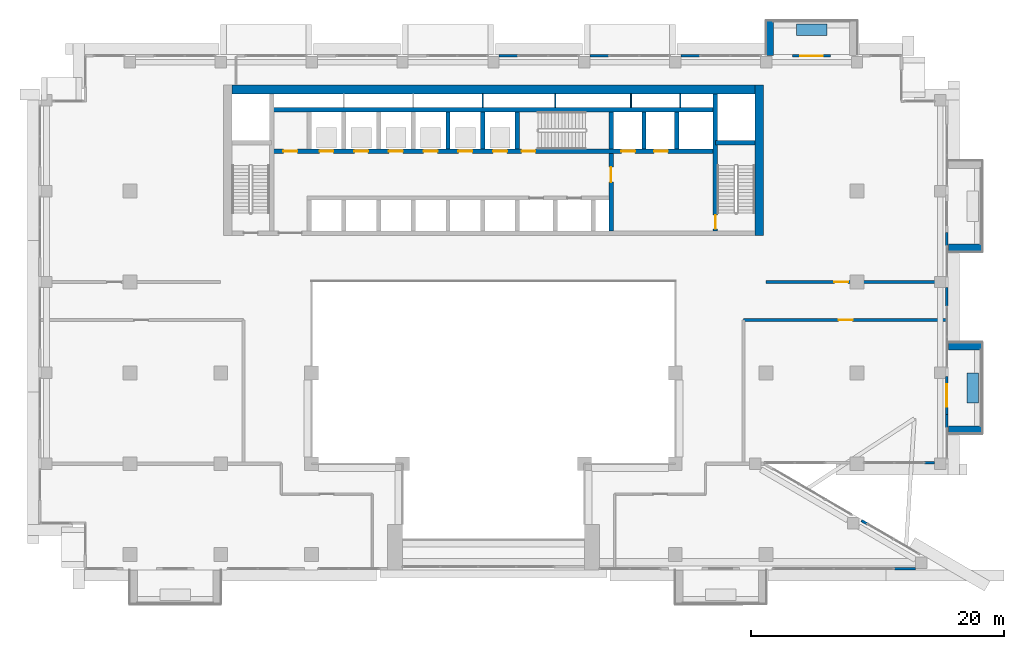
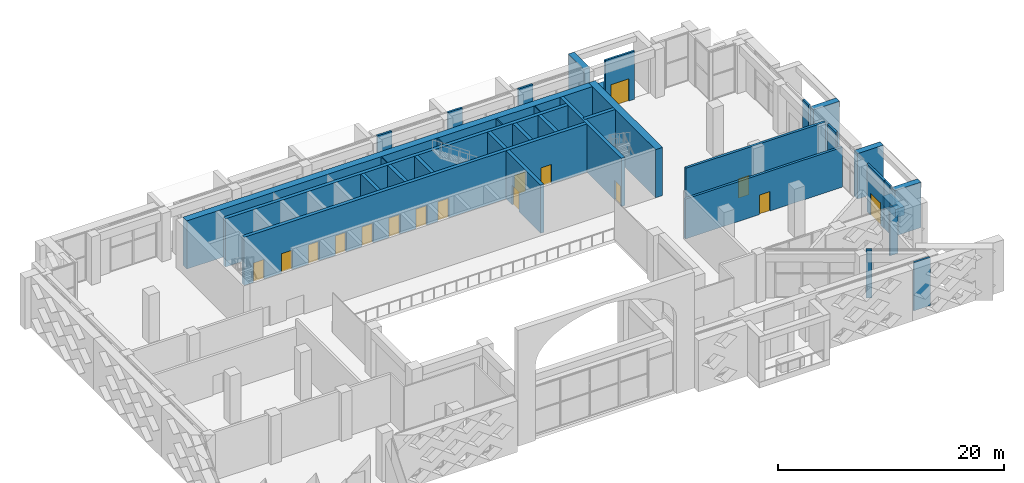
# One storey, part 16 of 25: 36 walls, 16 doors, 16 openings.
"""IFC4 building model written with IfcOpenShell, lengths in metres."""

from ifc_helpers import new_model, si_unit, direction, frame, frame_2d, origin, place, context, subcontext, project, spatial, rectangle, extrude, material, layer, layer_set, type_object, element, fill, save


model = new_model("IFC4")

# Units and contexts
model_context = context("Model", 3, precision=1e-05, world=origin(), true_north=direction((0.0, 1.0)))
body_context = subcontext(model_context, "Body", "Model", "MODEL_VIEW")
ifc_project = project(units=[si_unit("LENGTHUNIT", "METRE"), si_unit("AREAUNIT", "SQUARE_METRE"), si_unit("VOLUMEUNIT", "CUBIC_METRE"), si_unit("PLANEANGLEUNIT", "RADIAN"), si_unit("MASSUNIT", "GRAM", prefix="KILO")], contexts=[model_context])

# Site, building, storey
site_placement = place(None, origin())
site = spatial("IfcSite", under=ifc_project, at=site_placement, CompositionType="ELEMENT")
building_placement = place(site_placement, origin())
building = spatial("IfcBuilding", under=site, at=building_placement, Name="Saffron Iwan Residences", CompositionType="ELEMENT")
storey_placement = place(building_placement, frame((0.0, 0.0, 137.5)))
storey = spatial("IfcBuildingStorey", under=building, at=storey_placement, Name="L36", CompositionType="ELEMENT", Elevation=137.5)

# Walls
ifc_material_1 = material(Name="Concrete C50/60 white painted", Category="concrete")
ifc_layer_1 = layer(ifc_material_1, 0.60009765625)
ifc_layer_set_1 = layer_set([ifc_layer_1], Name="Concrete C50/60 white painted")
wall_type_1 = type_object("IfcWallType", Name="BALCONY FIN 600", PredefinedType="SOLIDWALL", material=ifc_layer_set_1)
for number, where, z_axis, x_axis, name in (
    (1, (86.449951171875, 50.699951171875, 0.0), (0.0, 0.0, 1.0), (1.0, 0.0, 0.0), "Balcony fin L36 F2-0a"),
    (2, (86.449951171875, 57.300048828125, 0.0), (0.0, 0.0, 1.0), (1.0, 0.0, 0.0), "Balcony fin L36 F2-0b"),
    (3, (86.449951171875, 65.10009765625, 0.0), (0.0, 0.0, 1.0), (1.0, 0.0, 0.0), "Balcony fin L36 F2-1a"),
):
    element("IfcWall", number, at=place(storey_placement, frame(where, z_axis=z_axis, x_axis=x_axis)), inside=storey, type_object=wall_type_1, Name=name, PredefinedType="SOLIDWALL", context=body_context, shape_type="SweptSolid", body=[
        extrude(rectangle(XDim=2.650146484375, YDim=0.60009765625, at=frame_2d((1.3251953125, 0.0))), origin(), (0.0, 0.0, 1.0), 4.89990234375),
    ])
wall_1_placement = place(storey_placement, frame((72.300048828125, 80.35009765625, 0.0), z_axis=(0.0, 0.0, 1.0), x_axis=(0.0, 1.0, 0.0)))
element("IfcWall", 4, at=wall_1_placement, inside=storey, type_object=wall_type_1, Name="Balcony fin L36 F5-0b", PredefinedType="SOLIDWALL", context=body_context, shape_type="SweptSolid", body=[
    extrude(rectangle(XDim=2.75, YDim=0.60009765625, at=frame_2d((1.375, 0.0))), origin(), (0.0, 0.0, 1.0), 4.89990234375),
])
ifc_material_2 = material(Name="Concrete C35/45 white painted", Category="concrete")
ifc_layer_2 = layer(ifc_material_2, 0.14990234375)
ifc_layer_set_2 = layer_set([ifc_layer_2], Name="Concrete C35/45 white painted")
wall_type_2 = type_object("IfcWallType", Name="BALCONY PLANTER", PredefinedType="SOLIDWALL", material=ifc_layer_set_2)
wall_2_placement = place(storey_placement, frame((88.375, 52.800048828125, 0.0), z_axis=(0.0, 0.0, 1.0), x_axis=(0.0, 1.0, 0.0)))
element("IfcWall", 5, at=wall_2_placement, inside=storey, type_object=wall_type_2, Name="PLANTER L36 F2-0", PredefinedType="SOLIDWALL", context=body_context, shape_type="SweptSolid", body=[
    extrude(rectangle(XDim=2.39990234375, YDim=0.89990234375, at=frame_2d((1.199951171875, 0.0))), origin(), (0.0, 0.0, 1.0), 0.89990234375),
])
wall_3_placement = place(storey_placement, frame((76.800048828125, 82.375, 0.0), z_axis=(0.0, 0.0, 1.0), x_axis=(-1.0, 0.0, 0.0)))
element("IfcWall", 6, at=wall_3_placement, inside=storey, type_object=wall_type_2, Name="PLANTER L36 F5-0", PredefinedType="SOLIDWALL", context=body_context, shape_type="SweptSolid", body=[
    extrude(rectangle(XDim=2.400146484375, YDim=0.89990234375, at=frame_2d((1.2001953125, 0.0))), origin(), (0.0, 0.0, 1.0), 0.89990234375),
])
ifc_material_3 = material(Name="Concrete C40/50", Category="concrete")
ifc_layer_3 = layer(ifc_material_3, 0.199951171875)
ifc_layer_set_3 = layer_set([ifc_layer_3], Name="Concrete C40/50")
wall_type_3 = type_object("IfcWallType", Name="EXTERNAL WALL 200", PredefinedType="SOLIDWALL", material=ifc_layer_set_3)
wall_4_placement = place(storey_placement, frame((79.990478515625, 43.246337890625, 0.0), z_axis=(0.0, 0.0, 1.0), x_axis=(-0.863865392601, 0.503722724786, 0.0)))
element("IfcWall", 7, at=wall_4_placement, inside=storey, type_object=wall_type_3, Name="External wall infill CWC-L36-F0-1", PredefinedType="SOLIDWALL", context=body_context, shape_type="SweptSolid", body=[
    extrude(rectangle(XDim=0.51171875, YDim=0.199951171875, at=frame_2d((0.255859375, 0.0))), origin(), (0.0, 0.0, 1.0), 5.199951171875),
])
wall_5_placement = place(storey_placement, frame((84.550048828125, 48.080078125, 0.0), z_axis=(0.0, 0.0, 1.0), x_axis=(1.0, 0.0, 0.0)))
element("IfcWall", 8, at=wall_5_placement, inside=storey, type_object=wall_type_3, Name="External wall infill CWC-L36-F1-1", PredefinedType="SOLIDWALL", context=body_context, shape_type="SweptSolid", body=[
    extrude(rectangle(XDim=0.800048828125, YDim=0.199951171875, at=frame_2d((0.39990234375, 0.0))), origin(), (0.0, 0.0, 1.0), 5.199951171875),
])

# Wall, opening, door
wall_6_placement = place(storey_placement, frame((86.300048828125, 51.89990234375, 0.0), z_axis=(0.0, 0.0, 1.0), x_axis=(0.0, 1.0, 0.0)))
wall_6 = element("IfcWall", 9, at=wall_6_placement, inside=storey, type_object=wall_type_3, Name="External wall L36 F2.D0", PredefinedType="SOLIDWALL", context=body_context, shape_type="SweptSolid", body=[
    extrude(rectangle(XDim=3.0, YDim=0.199951171875, at=frame_2d((1.5, 0.0))), origin(), (0.0, 0.0, 1.0), 5.199951171875),
])
opening_1_placement = place(wall_6_placement, frame((0.60009765625, 0.0, 0.0)))
opening_1 = element("IfcOpeningElement", 10, at=opening_1_placement, cuts=wall_6, Name="Opening BD1", PredefinedType="OPENING", context=body_context, shape_type="SweptSolid", body=[
    extrude(rectangle(XDim=1.800048828125, YDim=2.39990234375, at=frame_2d((0.89990234375, 1.199951171875))), frame((0.0, 0.10986328125, 0.0), z_axis=(0.0, -1.0, 0.0), x_axis=(1.0, 0.0, 0.0)), (0.0, 0.0, 1.0), 0.219970703125),
])
ifc_material_4 = material(Name="Clear glass, laminated double glazed", Category="glass")
door_type_1 = type_object("IfcDoorType", Name="BALCONY DOOR 1800 x 2400", OperationType="DOUBLE_DOOR_SLIDING", PredefinedType="DOOR", material=ifc_material_4)
door_1_placement = place(opening_1_placement, origin())
door_1 = element("IfcDoor", 11, at=door_1_placement, inside=storey, type_object=door_type_1, Name="Terrace door L36 F2.0", OperationType="DOUBLE_DOOR_SLIDING", OverallHeight=2.39990234375, OverallWidth=1.800048828125, PredefinedType="DOOR", context=body_context, shape_type="SweptSolid", body=[
    extrude(rectangle(XDim=1.800048828125, YDim=2.39990234375, at=frame_2d((0.89990234375, 1.199951171875))), frame((0.0, 0.02490234375, 0.0), z_axis=(0.0, -1.0, 0.0), x_axis=(1.0, 0.0, 0.0)), (0.0, 0.0, 1.0), 0.050048828125),
])
fill(opening_1, door_1)

# Walls
wall_7_placement = place(storey_placement, frame((86.320068359375, 50.85009765625, 0.0), z_axis=(0.0, 0.0, 1.0), x_axis=(0.0, 1.0, 0.0)))
element("IfcWall", 12, at=wall_7_placement, inside=storey, type_object=wall_type_3, Name="External wall infill CWC-L36-F2-0", PredefinedType="SOLIDWALL", context=body_context, shape_type="SweptSolid", body=[
    extrude(rectangle(XDim=1.0498046875, YDim=0.199951171875, at=frame_2d((0.52490234375, 0.0))), origin(), (0.0, 0.0, 1.0), 5.199951171875),
])
wall_8_placement = place(storey_placement, frame((86.320068359375, 60.449951171875, 0.0), z_axis=(0.0, 0.0, 1.0), x_axis=(0.0, 1.0, 0.0)))
element("IfcWall", 13, at=wall_8_placement, inside=storey, type_object=wall_type_3, Name="External wall infill CWC-L36-F2-1", PredefinedType="SOLIDWALL", context=body_context, shape_type="SweptSolid", body=[
    extrude(rectangle(XDim=1.5, YDim=0.199951171875, at=frame_2d((0.75, 0.0))), origin(), (0.0, 0.0, 1.0), 5.199951171875),
])
wall_9_placement = place(storey_placement, frame((86.320068359375, 65.25, 0.0), z_axis=(0.0, 0.0, 1.0), x_axis=(0.0, 1.0, 0.0)))
element("IfcWall", 14, at=wall_9_placement, inside=storey, type_object=wall_type_3, Name="External wall infill CWC-L36-F2-2", PredefinedType="SOLIDWALL", context=body_context, shape_type="SweptSolid", body=[
    extrude(rectangle(XDim=1.050048828125, YDim=0.199951171875, at=frame_2d((0.52490234375, 0.0))), origin(), (0.0, 0.0, 1.0), 5.199951171875),
])

# Wall, opening, door
wall_10_placement = place(storey_placement, frame((77.10009765625, 80.300048828125, 0.0), z_axis=(0.0, 0.0, 1.0), x_axis=(-1.0, 0.0, 0.0)))
wall_10 = element("IfcWall", 15, at=wall_10_placement, inside=storey, type_object=wall_type_3, Name="External wall L36 F5.D0", PredefinedType="SOLIDWALL", context=body_context, shape_type="SweptSolid", body=[
    extrude(rectangle(XDim=3.0, YDim=0.199951171875, at=frame_2d((1.5, 0.0))), origin(), (0.0, 0.0, 1.0), 5.199951171875),
])
opening_2_placement = place(wall_10_placement, frame((0.60009765625, 0.0, 0.0)))
opening_2 = element("IfcOpeningElement", 16, at=opening_2_placement, cuts=wall_10, Name="Opening BD1", PredefinedType="OPENING", context=body_context, shape_type="SweptSolid", body=[
    extrude(rectangle(XDim=1.800048828125, YDim=2.39990234375, at=frame_2d((0.89990234375, 1.199951171875))), frame((0.0, 0.10986328125, 0.0), z_axis=(0.0, -1.0, 0.0), x_axis=(1.0, 0.0, 0.0)), (0.0, 0.0, 1.0), 0.219970703125),
])
door_2_placement = place(opening_2_placement, origin())
door_2 = element("IfcDoor", 17, at=door_2_placement, inside=storey, type_object=door_type_1, Name="Terrace door L36 F5.0", OperationType="DOUBLE_DOOR_SLIDING", OverallHeight=2.39990234375, OverallWidth=1.800048828125, PredefinedType="DOOR", context=body_context, shape_type="SweptSolid", body=[
    extrude(rectangle(XDim=1.800048828125, YDim=2.39990234375, at=frame_2d((0.89990234375, 1.199951171875))), frame((0.0, 0.02490234375, 0.0), z_axis=(0.0, -1.0, 0.0), x_axis=(1.0, 0.0, 0.0)), (0.0, 0.0, 1.0), 0.050048828125),
])
fill(opening_2, door_2)

# Walls
for number, where, z_axis, x_axis, name in (
    (18, (66.75, 80.320068359375, 0.0), (0.0, 0.0, 1.0), (-1.0, 0.0, 0.0), "External wall infill CWC-L36-F5-3"),
    (19, (59.550048828125, 80.320068359375, 0.0), (0.0, 0.0, 1.0), (-1.0, 0.0, 0.0), "External wall infill CWC-L36-F5-4"),
    (20, (52.35009765625, 80.320068359375, 0.0), (0.0, 0.0, 1.0), (-1.0, 0.0, 0.0), "External wall infill CWC-L36-F5-5"),
):
    element("IfcWall", number, at=place(storey_placement, frame(where, z_axis=z_axis, x_axis=x_axis)), inside=storey, type_object=wall_type_3, Name=name, PredefinedType="SOLIDWALL", context=body_context, shape_type="SweptSolid", body=[
        extrude(rectangle(XDim=1.5, YDim=0.199951171875, at=frame_2d((0.75, 0.0))), origin(), (0.0, 0.0, 1.0), 5.199951171875),
    ])
wall_11_placement = place(storey_placement, frame((82.14990234375, 39.679931640625, 0.0), z_axis=(0.0, 0.0, 1.0), x_axis=(1.0, 0.0, 0.0)))
element("IfcWall", 21, at=wall_11_placement, inside=storey, type_object=wall_type_3, Name="External wall infill CWC-L36-F11-8", PredefinedType="SOLIDWALL", context=body_context, shape_type="SweptSolid", body=[
    extrude(rectangle(XDim=1.67626953125, YDim=0.199951171875, at=frame_2d((0.838134765625, 0.0))), origin(), (0.0, 0.0, 1.0), 5.199951171875),
])

# Wall, opening, door
ifc_layer_4 = layer(ifc_material_3, 0.25)
ifc_layer_set_4 = layer_set([ifc_layer_4], Name="Concrete C40/50")
wall_type_4 = type_object("IfcWallType", Name="Fire compartment wall 250", PredefinedType="SOLIDWALL", material=ifc_layer_set_4)
wall_12_placement = place(storey_placement, frame((70.199951171875, 59.39990234375, 0.0), z_axis=(0.0, 0.0, 1.0), x_axis=(1.0, 0.0, 0.0)))
wall_12 = element("IfcWall", 22, at=wall_12_placement, inside=storey, type_object=wall_type_4, Name="W-L36-009", PredefinedType="SOLIDWALL", context=body_context, shape_type="SweptSolid", body=[
    extrude(rectangle(XDim=16.030029296875, YDim=0.25, at=frame_2d((8.01513671875, 0.0))), origin(), (0.0, 0.0, 1.0), 4.300048828125),
])
opening_3_placement = place(wall_12_placement, frame((7.550048828125, 0.0, 0.0)))
opening_3 = element("IfcOpeningElement", 23, at=opening_3_placement, cuts=wall_12, Name="Opening L36.05", PredefinedType="OPENING", context=body_context, shape_type="SweptSolid", body=[
    extrude(rectangle(XDim=1.10009765625, YDim=2.10009765625, at=frame_2d((0.550048828125, 1.050048828125))), frame((0.0, 0.135009765625, 0.0), z_axis=(0.0, -1.0, 0.0), x_axis=(1.0, 0.0, 0.0)), (0.0, 0.0, 1.0), 0.27001953125),
])
ifc_material_5 = material(Name="Timber", Category="wood")
door_type_2 = type_object("IfcDoorType", Name="Door 1100x2100", OperationType="NOTDEFINED", PredefinedType="DOOR", material=ifc_material_5)
door_3_placement = place(opening_3_placement, origin())
door_3 = element("IfcDoor", 24, at=door_3_placement, inside=storey, type_object=door_type_2, Name="D-L36-005", OperationType="SINGLE_SWING_RIGHT", OverallHeight=2.10009765625, OverallWidth=1.10009765625, PredefinedType="DOOR", context=body_context, shape_type="SweptSolid", body=[
    extrude(rectangle(XDim=1.10009765625, YDim=2.10009765625, at=frame_2d((0.550048828125, 1.050048828125))), frame((0.0, 0.02490234375, 0.0), z_axis=(0.0, -1.0, 0.0), x_axis=(1.0, 0.0, 0.0)), (0.0, 0.0, 1.0), 0.050048828125),
])
fill(opening_3, door_3)

wall_13_placement = place(storey_placement, frame((72.0, 62.39990234375, 0.0), z_axis=(0.0, 0.0, 1.0), x_axis=(1.0, 0.0, 0.0)))
wall_13 = element("IfcWall", 25, at=wall_13_placement, inside=storey, type_object=wall_type_4, Name="W-L36-011", PredefinedType="SOLIDWALL", context=body_context, shape_type="SweptSolid", body=[
    extrude(rectangle(XDim=14.22998046875, YDim=0.25, at=frame_2d((7.114990234375, 0.0))), origin(), (0.0, 0.0, 1.0), 5.199951171875),
])
opening_4_placement = place(wall_13_placement, frame((5.39990234375, 0.0, 0.0)))
opening_4 = element("IfcOpeningElement", 26, at=opening_4_placement, cuts=wall_13, Name="Opening L36.06", PredefinedType="OPENING", context=body_context, shape_type="SweptSolid", body=[
    extrude(rectangle(XDim=1.10009765625, YDim=2.10009765625, at=frame_2d((0.550048828125, 1.050048828125))), frame((0.0, 0.135009765625, 0.0), z_axis=(0.0, -1.0, 0.0), x_axis=(1.0, 0.0, 0.0)), (0.0, 0.0, 1.0), 0.27001953125),
])
door_4_placement = place(opening_4_placement, origin())
door_4 = element("IfcDoor", 27, at=door_4_placement, inside=storey, type_object=door_type_2, Name="D-L36-006", OperationType="SINGLE_SWING_LEFT", OverallHeight=2.10009765625, OverallWidth=1.10009765625, PredefinedType="DOOR", context=body_context, shape_type="SweptSolid", body=[
    extrude(rectangle(XDim=1.10009765625, YDim=2.10009765625, at=frame_2d((0.550048828125, 1.050048828125))), frame((0.0, 0.02490234375, 0.0), z_axis=(0.0, -1.0, 0.0), x_axis=(1.0, 0.0, 0.0)), (0.0, 0.0, 1.0), 0.050048828125),
])
fill(opening_4, door_4)

# Walls
ifc_material_6 = material(Name="Fire-rated plasterboard partition")
ifc_layer_5 = layer(ifc_material_6, 0.10009765625)
ifc_layer_set_5 = layer_set([ifc_layer_5], Name="Fire-rated plasterboard partition")
wall_type_5 = type_object("IfcWallType", Name="Riser partition 100", PredefinedType="PARTITIONING", material=ifc_layer_set_5)
for number, where, z_axis, x_axis, name in (
    (28, (49.550048828125, 76.22509765625, 0.0), (0.0, 0.0, 1.0), (0.0, 1.0, 0.0), "Core partition P03"),
    (29, (55.300048828125, 76.22509765625, 0.0), (0.0, 0.0, 1.0), (0.0, 1.0, 0.0), "Core partition P04"),
    (30, (61.300048828125, 76.22509765625, 0.0), (0.0, 0.0, 1.0), (0.0, 1.0, 0.0), "Core partition P05"),
    (31, (65.199951171875, 76.22509765625, 0.0), (0.0, 0.0, 1.0), (0.0, 1.0, 0.0), "Core partition P06"),
):
    element("IfcWall", number, at=place(storey_placement, frame(where, z_axis=z_axis, x_axis=x_axis)), inside=storey, type_object=wall_type_5, Name=name, PredefinedType="PARTITIONING", context=body_context, shape_type="SweptSolid", body=[
        extrude(rectangle(XDim=1.074951171875, YDim=0.10009765625, at=frame_2d((0.53759765625, 0.0))), origin(), (0.0, 0.0, 1.0), 5.199951171875),
    ])

# Wall, openings, doors
ifc_material_7 = material(Name="Concrete C50/60", Category="concrete")
ifc_layer_6 = layer(ifc_material_7, 0.35009765625)
ifc_layer_set_6 = layer_set([ifc_layer_6], Name="Concrete C50/60")
wall_type_6 = type_object("IfcWallType", Name="WALL CORE 350 C50/60 5200 HIGH", PredefinedType="SHEAR", material=ifc_layer_set_6)
wall_14_placement = place(storey_placement, frame((32.824951171875, 72.75, 0.0), z_axis=(0.0, 0.0, 1.0), x_axis=(1.0, 0.0, 0.0)))
wall_14 = element("IfcWall", 32, at=wall_14_placement, inside=storey, type_object=wall_type_6, Name="Core wall", PredefinedType="SHEAR", context=body_context, shape_type="SweptSolid", body=[
    extrude(rectangle(XDim=35.150146484375, YDim=0.35009765625, at=frame_2d((17.5751953125, 0.0))), origin(), (0.0, 0.0, 1.0), 5.199951171875),
])
opening_5_placement = place(wall_14_placement, frame((19.800048828125, 0.0, 0.0)))
opening_5 = element("IfcOpeningElement", 33, at=opening_5_placement, cuts=wall_14, Name="Opening SD", PredefinedType="OPENING", context=body_context, shape_type="SweptSolid", body=[
    extrude(rectangle(XDim=1.10009765625, YDim=2.10009765625, at=frame_2d((0.550048828125, 1.050048828125))), frame((0.0, 0.18505859375, 0.0), z_axis=(0.0, -1.0, 0.0), x_axis=(1.0, 0.0, 0.0)), (0.0, 0.0, 1.0), 0.3701171875),
])
opening_6_placement = place(wall_14_placement, frame((27.699951171875, 0.0, 0.0)))
opening_6 = element("IfcOpeningElement", 34, at=opening_6_placement, cuts=wall_14, Name="Opening LD", PredefinedType="OPENING", context=body_context, shape_type="SweptSolid", body=[
    extrude(rectangle(XDim=1.10009765625, YDim=2.10009765625, at=frame_2d((0.550048828125, 1.050048828125))), frame((0.0, 0.18505859375, 0.0), z_axis=(0.0, -1.0, 0.0), x_axis=(1.0, 0.0, 0.0)), (0.0, 0.0, 1.0), 0.3701171875),
])
opening_7_placement = place(wall_14_placement, frame((30.300048828125, 0.0, 0.0)))
opening_7 = element("IfcOpeningElement", 35, at=opening_7_placement, cuts=wall_14, Name="Opening LD", PredefinedType="OPENING", context=body_context, shape_type="SweptSolid", body=[
    extrude(rectangle(XDim=1.10009765625, YDim=2.10009765625, at=frame_2d((0.550048828125, 1.050048828125))), frame((0.0, 0.18505859375, 0.0), z_axis=(0.0, -1.0, 0.0), x_axis=(1.0, 0.0, 0.0)), (0.0, 0.0, 1.0), 0.3701171875),
])
opening_8_placement = place(wall_14_placement, frame((3.800048828125, 0.0, 0.0)))
opening_8 = element("IfcOpeningElement", 36, at=opening_8_placement, cuts=wall_14, Name="Opening LD", PredefinedType="OPENING", context=body_context, shape_type="SweptSolid", body=[
    extrude(rectangle(XDim=1.10009765625, YDim=2.10009765625, at=frame_2d((0.550048828125, 1.050048828125))), frame((0.0, 0.18505859375, 0.0), z_axis=(0.0, -1.0, 0.0), x_axis=(1.0, 0.0, 0.0)), (0.0, 0.0, 1.0), 0.3701171875),
])
opening_9_placement = place(wall_14_placement, frame((6.550048828125, 0.0, 0.0)))
opening_9 = element("IfcOpeningElement", 37, at=opening_9_placement, cuts=wall_14, Name="Opening LD", PredefinedType="OPENING", context=body_context, shape_type="SweptSolid", body=[
    extrude(rectangle(XDim=1.10009765625, YDim=2.10009765625, at=frame_2d((0.550048828125, 1.050048828125))), frame((0.0, 0.18505859375, 0.0), z_axis=(0.0, -1.0, 0.0), x_axis=(1.0, 0.0, 0.0)), (0.0, 0.0, 1.0), 0.3701171875),
])
opening_10_placement = place(wall_14_placement, frame((9.300048828125, 0.0, 0.0)))
opening_10 = element("IfcOpeningElement", 38, at=opening_10_placement, cuts=wall_14, Name="Opening LD", PredefinedType="OPENING", context=body_context, shape_type="SweptSolid", body=[
    extrude(rectangle(XDim=1.10009765625, YDim=2.10009765625, at=frame_2d((0.550048828125, 1.050048828125))), frame((0.0, 0.18505859375, 0.0), z_axis=(0.0, -1.0, 0.0), x_axis=(1.0, 0.0, 0.0)), (0.0, 0.0, 1.0), 0.3701171875),
])
opening_11_placement = place(wall_14_placement, frame((12.050048828125, 0.0, 0.0)))
opening_11 = element("IfcOpeningElement", 39, at=opening_11_placement, cuts=wall_14, Name="Opening LD", PredefinedType="OPENING", context=body_context, shape_type="SweptSolid", body=[
    extrude(rectangle(XDim=1.10009765625, YDim=2.10009765625, at=frame_2d((0.550048828125, 1.050048828125))), frame((0.0, 0.18505859375, 0.0), z_axis=(0.0, -1.0, 0.0), x_axis=(1.0, 0.0, 0.0)), (0.0, 0.0, 1.0), 0.3701171875),
])
opening_12_placement = place(wall_14_placement, frame((14.800048828125, 0.0, 0.0)))
opening_12 = element("IfcOpeningElement", 40, at=opening_12_placement, cuts=wall_14, Name="Opening LD", PredefinedType="OPENING", context=body_context, shape_type="SweptSolid", body=[
    extrude(rectangle(XDim=1.10009765625, YDim=2.10009765625, at=frame_2d((0.550048828125, 1.050048828125))), frame((0.0, 0.18505859375, 0.0), z_axis=(0.0, -1.0, 0.0), x_axis=(1.0, 0.0, 0.0)), (0.0, 0.0, 1.0), 0.3701171875),
])
opening_13_placement = place(wall_14_placement, frame((17.550048828125, 0.0, 0.0)))
opening_13 = element("IfcOpeningElement", 41, at=opening_13_placement, cuts=wall_14, Name="Opening LD", PredefinedType="OPENING", context=body_context, shape_type="SweptSolid", body=[
    extrude(rectangle(XDim=1.10009765625, YDim=2.10009765625, at=frame_2d((0.550048828125, 1.050048828125))), frame((0.0, 0.18505859375, 0.0), z_axis=(0.0, -1.0, 0.0), x_axis=(1.0, 0.0, 0.0)), (0.0, 0.0, 1.0), 0.3701171875),
])
opening_14_placement = place(wall_14_placement, frame((0.9375, 0.0, 0.0)))
opening_14 = element("IfcOpeningElement", 42, at=opening_14_placement, cuts=wall_14, Name="Opening SR", PredefinedType="OPENING", context=body_context, shape_type="SweptSolid", body=[
    extrude(rectangle(XDim=1.10009765625, YDim=2.10009765625, at=frame_2d((0.550048828125, 1.050048828125))), frame((0.0, 0.18505859375, 0.0), z_axis=(0.0, -1.0, 0.0), x_axis=(1.0, 0.0, 0.0)), (0.0, 0.0, 1.0), 0.3701171875),
])
ifc_material_8 = material(Name="Steel fire door", Category="steel")
door_type_3 = type_object("IfcDoorType", Name="Lift landing door 1100", OperationType="SLIDING_TO_LEFT", PredefinedType="DOOR", material=ifc_material_8)
door_5_placement = place(opening_6_placement, origin())
door_5 = element("IfcDoor", 43, at=door_5_placement, inside=storey, type_object=door_type_3, Name="Landing doors FF1", OperationType="SLIDING_TO_LEFT", OverallHeight=2.10009765625, OverallWidth=1.10009765625, PredefinedType="DOOR", context=body_context, shape_type="SweptSolid", body=[
    extrude(rectangle(XDim=1.10009765625, YDim=2.10009765625, at=frame_2d((0.550048828125, 1.050048828125))), frame((0.0, 0.02490234375, 0.0), z_axis=(0.0, -1.0, 0.0), x_axis=(1.0, 0.0, 0.0)), (0.0, 0.0, 1.0), 0.050048828125),
])
fill(opening_6, door_5)
door_6_placement = place(opening_7_placement, origin())
door_6 = element("IfcDoor", 44, at=door_6_placement, inside=storey, type_object=door_type_3, Name="Landing doors FF2", OperationType="SLIDING_TO_LEFT", OverallHeight=2.10009765625, OverallWidth=1.10009765625, PredefinedType="DOOR", context=body_context, shape_type="SweptSolid", body=[
    extrude(rectangle(XDim=1.10009765625, YDim=2.10009765625, at=frame_2d((0.550048828125, 1.050048828125))), frame((0.0, 0.02490234375, 0.0), z_axis=(0.0, -1.0, 0.0), x_axis=(1.0, 0.0, 0.0)), (0.0, 0.0, 1.0), 0.050048828125),
])
fill(opening_7, door_6)
door_7_placement = place(opening_8_placement, origin())
door_7 = element("IfcDoor", 45, at=door_7_placement, inside=storey, type_object=door_type_3, Name="Landing doors HR1", OperationType="SLIDING_TO_LEFT", OverallHeight=2.10009765625, OverallWidth=1.10009765625, PredefinedType="DOOR", context=body_context, shape_type="SweptSolid", body=[
    extrude(rectangle(XDim=1.10009765625, YDim=2.10009765625, at=frame_2d((0.550048828125, 1.050048828125))), frame((0.0, 0.02490234375, 0.0), z_axis=(0.0, -1.0, 0.0), x_axis=(1.0, 0.0, 0.0)), (0.0, 0.0, 1.0), 0.050048828125),
])
fill(opening_8, door_7)
door_8_placement = place(opening_9_placement, origin())
door_8 = element("IfcDoor", 46, at=door_8_placement, inside=storey, type_object=door_type_3, Name="Landing doors HR2", OperationType="SLIDING_TO_LEFT", OverallHeight=2.10009765625, OverallWidth=1.10009765625, PredefinedType="DOOR", context=body_context, shape_type="SweptSolid", body=[
    extrude(rectangle(XDim=1.10009765625, YDim=2.10009765625, at=frame_2d((0.550048828125, 1.050048828125))), frame((0.0, 0.02490234375, 0.0), z_axis=(0.0, -1.0, 0.0), x_axis=(1.0, 0.0, 0.0)), (0.0, 0.0, 1.0), 0.050048828125),
])
fill(opening_9, door_8)
door_9_placement = place(opening_10_placement, origin())
door_9 = element("IfcDoor", 47, at=door_9_placement, inside=storey, type_object=door_type_3, Name="Landing doors HR3", OperationType="SLIDING_TO_LEFT", OverallHeight=2.10009765625, OverallWidth=1.10009765625, PredefinedType="DOOR", context=body_context, shape_type="SweptSolid", body=[
    extrude(rectangle(XDim=1.10009765625, YDim=2.10009765625, at=frame_2d((0.550048828125, 1.050048828125))), frame((0.0, 0.02490234375, 0.0), z_axis=(0.0, -1.0, 0.0), x_axis=(1.0, 0.0, 0.0)), (0.0, 0.0, 1.0), 0.050048828125),
])
fill(opening_10, door_9)
door_10_placement = place(opening_11_placement, origin())
door_10 = element("IfcDoor", 48, at=door_10_placement, inside=storey, type_object=door_type_3, Name="Landing doors HR4", OperationType="SLIDING_TO_LEFT", OverallHeight=2.10009765625, OverallWidth=1.10009765625, PredefinedType="DOOR", context=body_context, shape_type="SweptSolid", body=[
    extrude(rectangle(XDim=1.10009765625, YDim=2.10009765625, at=frame_2d((0.550048828125, 1.050048828125))), frame((0.0, 0.02490234375, 0.0), z_axis=(0.0, -1.0, 0.0), x_axis=(1.0, 0.0, 0.0)), (0.0, 0.0, 1.0), 0.050048828125),
])
fill(opening_11, door_10)
door_11_placement = place(opening_12_placement, origin())
door_11 = element("IfcDoor", 49, at=door_11_placement, inside=storey, type_object=door_type_3, Name="Landing doors HR5", OperationType="SLIDING_TO_LEFT", OverallHeight=2.10009765625, OverallWidth=1.10009765625, PredefinedType="DOOR", context=body_context, shape_type="SweptSolid", body=[
    extrude(rectangle(XDim=1.10009765625, YDim=2.10009765625, at=frame_2d((0.550048828125, 1.050048828125))), frame((0.0, 0.02490234375, 0.0), z_axis=(0.0, -1.0, 0.0), x_axis=(1.0, 0.0, 0.0)), (0.0, 0.0, 1.0), 0.050048828125),
])
fill(opening_12, door_11)
door_12_placement = place(opening_13_placement, origin())
door_12 = element("IfcDoor", 50, at=door_12_placement, inside=storey, type_object=door_type_3, Name="Landing doors HR6", OperationType="SLIDING_TO_LEFT", OverallHeight=2.10009765625, OverallWidth=1.10009765625, PredefinedType="DOOR", context=body_context, shape_type="SweptSolid", body=[
    extrude(rectangle(XDim=1.10009765625, YDim=2.10009765625, at=frame_2d((0.550048828125, 1.050048828125))), frame((0.0, 0.02490234375, 0.0), z_axis=(0.0, -1.0, 0.0), x_axis=(1.0, 0.0, 0.0)), (0.0, 0.0, 1.0), 0.050048828125),
])
fill(opening_13, door_12)
door_type_4 = type_object("IfcDoorType", Name="Service door 1100", OperationType="NOTDEFINED", PredefinedType="DOOR", material=ifc_material_8)
door_13_placement = place(opening_14_placement, origin())
door_13 = element("IfcDoor", 51, at=door_13_placement, inside=storey, type_object=door_type_4, Name="Door Accessible WC", OperationType="SINGLE_SWING_LEFT", OverallHeight=2.10009765625, OverallWidth=1.10009765625, PredefinedType="DOOR", context=body_context, shape_type="SweptSolid", body=[
    extrude(rectangle(XDim=1.10009765625, YDim=2.10009765625, at=frame_2d((0.550048828125, 1.050048828125))), frame((0.0, 0.02490234375, 0.0), z_axis=(0.0, -1.0, 0.0), x_axis=(1.0, 0.0, 0.0)), (0.0, 0.0, 1.0), 0.050048828125),
])
fill(opening_14, door_13)
door_type_5 = type_object("IfcDoorType", Name="Stair door 1100", OperationType="NOTDEFINED", PredefinedType="DOOR", material=ifc_material_8)
door_14_placement = place(opening_5_placement, origin())
door_14 = element("IfcDoor", 52, at=door_14_placement, inside=storey, type_object=door_type_5, Name="Stair door ST-C", OperationType="SINGLE_SWING_LEFT", OverallHeight=2.10009765625, OverallWidth=1.10009765625, PredefinedType="DOOR", context=body_context, shape_type="SweptSolid", body=[
    extrude(rectangle(XDim=1.10009765625, YDim=2.10009765625, at=frame_2d((0.550048828125, 1.050048828125))), frame((0.0, 0.02490234375, 0.0), z_axis=(0.0, -1.0, 0.0), x_axis=(1.0, 0.0, 0.0)), (0.0, 0.0, 1.0), 0.050048828125),
])
fill(opening_5, door_14)

# Walls
wall_15_placement = place(storey_placement, frame((32.824951171875, 76.050048828125, 0.0), z_axis=(0.0, 0.0, 1.0), x_axis=(1.0, 0.0, 0.0)))
element("IfcWall", 53, at=wall_15_placement, inside=storey, type_object=wall_type_6, Name="Core wall", PredefinedType="SHEAR", context=body_context, shape_type="SweptSolid", body=[
    extrude(rectangle(XDim=35.150146484375, YDim=0.35009765625, at=frame_2d((17.5751953125, 0.0))), origin(), (0.0, 0.0, 1.0), 5.199951171875),
])
wall_16_placement = place(storey_placement, frame((67.97509765625, 73.425048828125, 0.0), z_axis=(0.0, 0.0, 1.0), x_axis=(1.0, 0.0, 0.0)))
element("IfcWall", 54, at=wall_16_placement, inside=storey, type_object=wall_type_6, Name="Core wall", PredefinedType="SHEAR", context=body_context, shape_type="SweptSolid", body=[
    extrude(rectangle(XDim=3.125, YDim=0.35009765625, at=frame_2d((1.5625, 0.0))), origin(), (0.0, 0.0, 1.0), 5.199951171875),
])

# Wall, opening, door
wall_17_placement = place(storey_placement, frame((67.97509765625, 66.449951171875, 0.0), z_axis=(0.0, 0.0, 1.0), x_axis=(0.0, 1.0, 0.0)))
wall_17 = element("IfcWall", 55, at=wall_17_placement, inside=storey, type_object=wall_type_6, Name="Core wall", PredefinedType="SHEAR", context=body_context, shape_type="SweptSolid", body=[
    extrude(rectangle(XDim=10.85009765625, YDim=0.35009765625, at=frame_2d((5.425048828125, 0.0))), origin(), (0.0, 0.0, 1.0), 5.199951171875),
])
opening_15_placement = place(wall_17_placement, frame((0.14990234375, 0.0, 0.0)))
opening_15 = element("IfcOpeningElement", 56, at=opening_15_placement, cuts=wall_17, Name="Opening SD", PredefinedType="OPENING", context=body_context, shape_type="SweptSolid", body=[
    extrude(rectangle(XDim=1.10009765625, YDim=2.10009765625, at=frame_2d((0.550048828125, 1.050048828125))), frame((0.0, 0.18505859375, 0.0), z_axis=(0.0, -1.0, 0.0), x_axis=(1.0, 0.0, 0.0)), (0.0, 0.0, 1.0), 0.3701171875),
])
door_15_placement = place(opening_15_placement, origin())
door_15 = element("IfcDoor", 57, at=door_15_placement, inside=storey, type_object=door_type_5, Name="Stair door ST-E", OperationType="SINGLE_SWING_LEFT", OverallHeight=2.10009765625, OverallWidth=1.10009765625, PredefinedType="DOOR", context=body_context, shape_type="SweptSolid", body=[
    extrude(rectangle(XDim=1.10009765625, YDim=2.10009765625, at=frame_2d((0.550048828125, 1.050048828125))), frame((0.0, 0.02490234375, 0.0), z_axis=(0.0, -1.0, 0.0), x_axis=(1.0, 0.0, 0.0)), (0.0, 0.0, 1.0), 0.050048828125),
])
fill(opening_15, door_15)

wall_18_placement = place(storey_placement, frame((59.72509765625, 66.449951171875, 0.0), z_axis=(0.0, 0.0, 1.0), x_axis=(0.0, 1.0, 0.0)))
wall_18 = element("IfcWall", 58, at=wall_18_placement, inside=storey, type_object=wall_type_6, Name="Core wall", PredefinedType="SHEAR", context=body_context, shape_type="SweptSolid", body=[
    extrude(rectangle(XDim=6.125, YDim=0.35009765625, at=frame_2d((3.0625, 0.0))), origin(), (0.0, 0.0, 1.0), 5.199951171875),
])
opening_16_placement = place(wall_18_placement, frame((3.85009765625, 0.0, 0.0)))
opening_16 = element("IfcOpeningElement", 59, at=opening_16_placement, cuts=wall_18, Name="Opening FD", PredefinedType="OPENING", context=body_context, shape_type="SweptSolid", body=[
    extrude(rectangle(XDim=1.199951171875, YDim=2.10009765625, at=frame_2d((0.60009765625, 1.050048828125))), frame((0.0, 0.18505859375, 0.0), z_axis=(0.0, -1.0, 0.0), x_axis=(1.0, 0.0, 0.0)), (0.0, 0.0, 1.0), 0.3701171875),
])
door_type_6 = type_object("IfcDoorType", Name="Firefighting lobby door 1200", OperationType="NOTDEFINED", PredefinedType="DOOR", material=ifc_material_8)
door_16_placement = place(opening_16_placement, origin())
door_16 = element("IfcDoor", 60, at=door_16_placement, inside=storey, type_object=door_type_6, Name="Firefighting lobby door", OperationType="SINGLE_SWING_LEFT", OverallHeight=2.10009765625, OverallWidth=1.199951171875, PredefinedType="DOOR", context=body_context, shape_type="SweptSolid", body=[
    extrude(rectangle(XDim=1.199951171875, YDim=2.10009765625, at=frame_2d((0.60009765625, 1.050048828125))), frame((0.0, 0.02490234375, 0.0), z_axis=(0.0, -1.0, 0.0), x_axis=(1.0, 0.0, 0.0)), (0.0, 0.0, 1.0), 0.050048828125),
])
fill(opening_16, door_16)

# Walls
for number, where, z_axis, x_axis, name in (
    (61, (59.72509765625, 72.925048828125, 0.0), (0.0, 0.0, 1.0), (0.0, 1.0, 0.0), "Core wall"),
    (62, (46.800048828125, 72.925048828125, 0.0), (0.0, 0.0, 1.0), (0.0, 1.0, 0.0), "Core wall"),
    (63, (49.550048828125, 72.925048828125, 0.0), (0.0, 0.0, 1.0), (0.0, 1.0, 0.0), "Core wall"),
    (64, (52.300048828125, 72.925048828125, 0.0), (0.0, 0.0, 1.0), (0.0, 1.0, 0.0), "Core wall"),
    (65, (62.324951171875, 72.925048828125, 0.0), (0.0, 0.0, 1.0), (0.0, 1.0, 0.0), "Core wall"),
    (66, (64.925048828125, 72.925048828125, 0.0), (0.0, 0.0, 1.0), (0.0, 1.0, 0.0), "Core wall"),
):
    element("IfcWall", number, at=place(storey_placement, frame(where, z_axis=z_axis, x_axis=x_axis)), inside=storey, type_object=wall_type_6, Name=name, PredefinedType="SHEAR", context=body_context, shape_type="SweptSolid", body=[
        extrude(rectangle(XDim=2.949951171875, YDim=0.35009765625, at=frame_2d((1.47509765625, 0.0))), origin(), (0.0, 0.0, 1.0), 5.199951171875),
    ])
ifc_layer_7 = layer(ifc_material_7, 0.699951171875)
ifc_layer_set_7 = layer_set([ifc_layer_7], Name="Concrete C50/60")
wall_type_7 = type_object("IfcWallType", Name="WALL CORE 700 C50/60 5200 HIGH", PredefinedType="SHEAR", material=ifc_layer_set_7)
wall_19_placement = place(storey_placement, frame((71.449951171875, 66.10009765625, 0.0), z_axis=(0.0, 0.0, 1.0), x_axis=(0.0, 1.0, 0.0)))
element("IfcWall", 67, at=wall_19_placement, inside=storey, type_object=wall_type_7, Name="Core wall", PredefinedType="SHEAR", context=body_context, shape_type="SweptSolid", body=[
    extrude(rectangle(XDim=11.89990234375, YDim=0.699951171875, at=frame_2d((5.949951171875, 0.0))), origin(), (0.0, 0.0, 1.0), 5.199951171875),
])
wall_20_placement = place(storey_placement, frame((29.699951171875, 77.64990234375, 0.0), z_axis=(0.0, 0.0, 1.0), x_axis=(1.0, 0.0, 0.0)))
element("IfcWall", 68, at=wall_20_placement, inside=storey, type_object=wall_type_7, Name="Core wall", PredefinedType="SHEAR", context=body_context, shape_type="SweptSolid", body=[
    extrude(rectangle(XDim=41.400146484375, YDim=0.699951171875, at=frame_2d((20.7001953125, 0.0))), origin(), (0.0, 0.0, 1.0), 5.199951171875),
])

save(model, "model.ifc")
